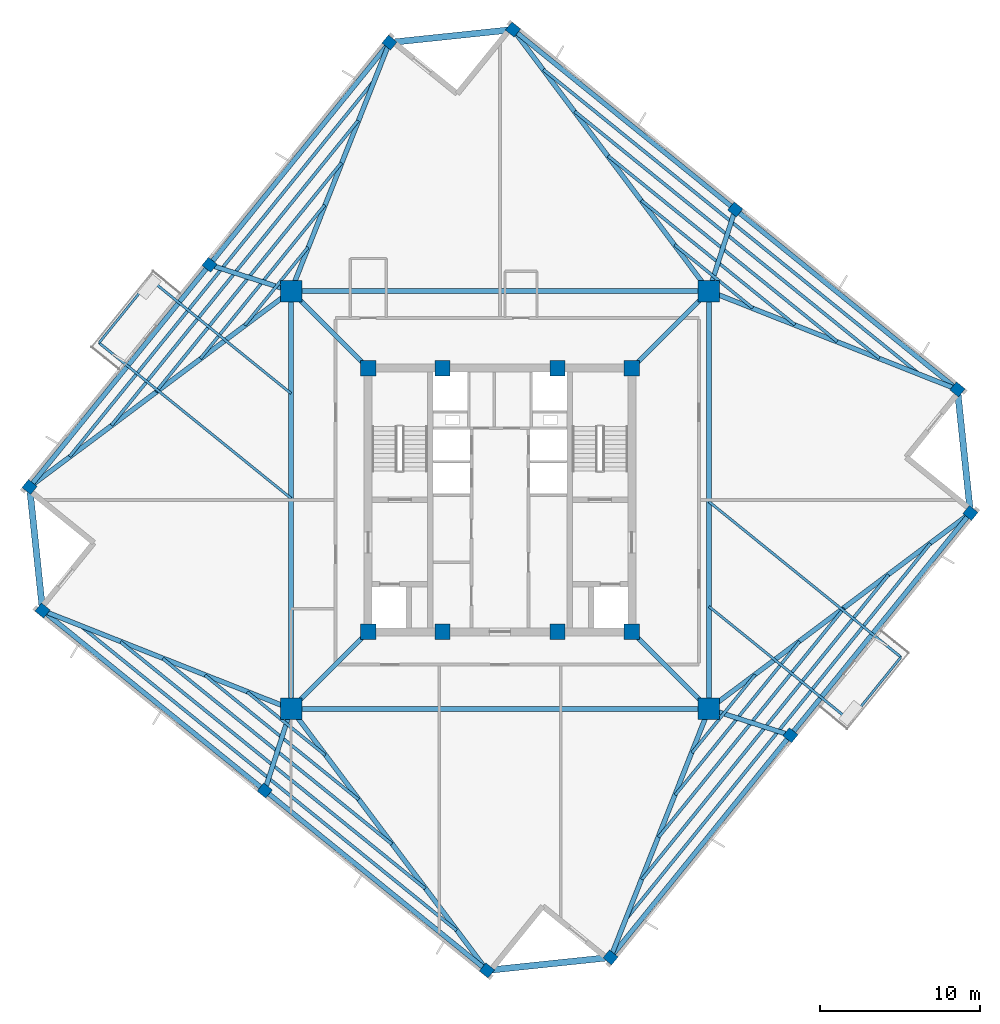
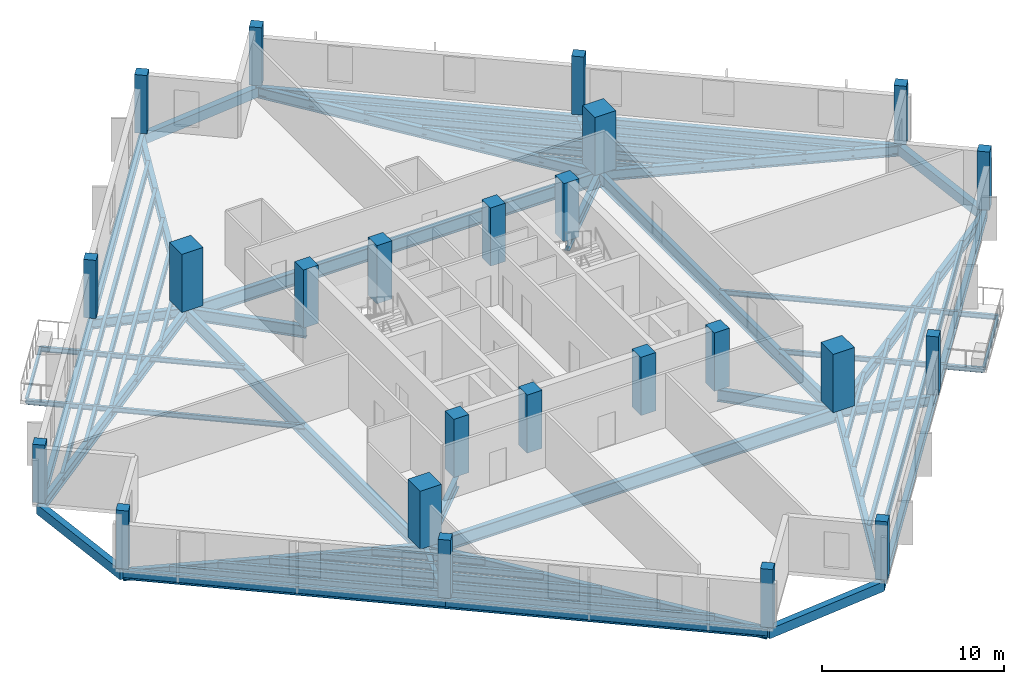
# One storey, part 1 of 9: 58 beams, 24 columns.
"""IFC4 building model written with IfcOpenShell, lengths in metres."""

from ifc_helpers import new_model, si_unit, direction, frame, origin, origin_2d, place, context, subcontext, project, spatial, rectangle, i_section, extrude, source, transform, mapped, material, material_profile, profile_set, type_object, element, save


model = new_model("IFC4")

# Units and contexts
model_context = context("Model", 3, precision=1e-05, world=origin(), true_north=direction((0.0, 1.0)))
body_context = subcontext(model_context, "Body", "Model", "MODEL_VIEW")
ifc_project = project(units=[si_unit("LENGTHUNIT", "METRE"), si_unit("AREAUNIT", "SQUARE_METRE"), si_unit("VOLUMEUNIT", "CUBIC_METRE"), si_unit("PLANEANGLEUNIT", "RADIAN"), si_unit("MASSUNIT", "GRAM", prefix="KILO"), si_unit("THERMODYNAMICTEMPERATUREUNIT", "KELVIN")], contexts=[model_context])

# Site, building, storey
site_placement = place(None, origin())
site = spatial("IfcSite", under=ifc_project, at=site_placement, CompositionType="ELEMENT")
building_placement = place(site_placement, origin())
building = spatial("IfcBuilding", under=site, at=building_placement, Name="Kosmvard Interchange Tower", CompositionType="ELEMENT")
storey_placement = place(building_placement, frame((0.0, 0.0, 244.60009765625)))
storey = spatial("IfcBuildingStorey", under=building, at=storey_placement, Name="L59", CompositionType="ELEMENT", Elevation=244.60009765625)

# Columns
ifc_material_1 = material(Name="Concrete C60/75", Category="concrete")
ifc_material_profile_1 = material_profile(ifc_material_1, rectangle(XDim=0.949951171875, YDim=0.949951171875, at=origin_2d()), Name="CP 950x950")
ifc_profile_set_1 = profile_set([ifc_material_profile_1], Name="Concrete C60/75")
column_type_1 = type_object("IfcColumnType", Name="Core Boundary Pilaster 950x950 C60/75", PredefinedType="PILASTER", material=ifc_profile_set_1)
shared_shape_1 = source(origin(), body_context, "Body", "SweptSolid", [
    extrude(rectangle(XDim=0.949951171875, YDim=0.949951171875, at=origin_2d()), origin(), (0.0, 0.0, 1.0), 3.89990234375),
])
for number, where, z_axis, x_axis, name in (
    (1, (-8.25, -8.25, 0.0), (0.0, 0.0, 1.0), (1.0, 0.0, 0.0), "L59 Core Pilaster CP1"),
    (2, (8.25, -8.25, 0.0), (0.0, 0.0, 1.0), (1.0, 0.0, 0.0), "L59 Core Pilaster CP2"),
    (3, (8.25, 8.25, 0.0), (0.0, 0.0, 1.0), (1.0, 0.0, 0.0), "L59 Core Pilaster CP3"),
    (4, (-8.25, 8.25, 0.0), (0.0, 0.0, 1.0), (1.0, 0.0, 0.0), "L59 Core Pilaster CP4"),
    (5, (-3.60009765625, -8.25, 0.0), (0.0, 0.0, 1.0), (1.0, 0.0, 0.0), "L59 Core Pilaster CP5"),
    (6, (3.60009765625, -8.25, 0.0), (0.0, 0.0, 1.0), (1.0, 0.0, 0.0), "L59 Core Pilaster CP6"),
    (7, (-3.60009765625, 8.25, 0.0), (0.0, 0.0, 1.0), (1.0, 0.0, 0.0), "L59 Core Pilaster CP7"),
    (8, (3.60009765625, 8.25, 0.0), (0.0, 0.0, 1.0), (1.0, 0.0, 0.0), "L59 Core Pilaster CP8"),
):
    element("IfcColumn", number, at=place(storey_placement, frame(where, z_axis=z_axis, x_axis=x_axis)), inside=storey, type_object=column_type_1, Name=name, PredefinedType="PILASTER", context=body_context, shape_type="MappedRepresentation", body=[
        mapped(shared_shape_1, transform((0.0, 0.0, 0.0), scale=1.0)),
    ])
ifc_material_profile_2 = material_profile(ifc_material_1, rectangle(XDim=1.35009765625, YDim=1.35009765625, at=origin_2d()), Name="MC 1350x1350")
ifc_profile_set_2 = profile_set([ifc_material_profile_2], Name="Concrete C60/75")
column_type_2 = type_object("IfcColumnType", Name="Composite Mega-Column 1350x1350 C60/75", PredefinedType="COLUMN", material=ifc_profile_set_2)
shared_shape_2 = source(origin(), body_context, "Body", "SweptSolid", [
    extrude(rectangle(XDim=1.35009765625, YDim=1.35009765625, at=origin_2d()), origin(), (0.0, 0.0, 1.0), 3.89990234375),
])
for number, where, z_axis, x_axis, name in (
    (9, (-13.0810546875, -13.0810546875, 0.0), (0.0, 0.0, 1.0), (1.0, 0.0, 0.0), "L59 Corner Mega-Column MC1"),
    (10, (13.0810546875, -13.0810546875, 0.0), (0.0, 0.0, 1.0), (1.0, 0.0, 0.0), "L59 Corner Mega-Column MC2"),
    (11, (13.0810546875, 13.0810546875, 0.0), (0.0, 0.0, 1.0), (1.0, 0.0, 0.0), "L59 Corner Mega-Column MC3"),
    (12, (-13.0810546875, 13.0810546875, 0.0), (0.0, 0.0, 1.0), (1.0, 0.0, 0.0), "L59 Corner Mega-Column MC4"),
):
    element("IfcColumn", number, at=place(storey_placement, frame(where, z_axis=z_axis, x_axis=x_axis)), inside=storey, type_object=column_type_2, Name=name, PredefinedType="COLUMN", context=body_context, shape_type="MappedRepresentation", body=[
        mapped(shared_shape_2, transform((0.0, 0.0, 0.0), scale=1.0)),
    ])
ifc_material_2 = material(Name="Concrete C50/60", Category="concrete")
ifc_material_profile_3 = material_profile(ifc_material_2, rectangle(XDim=0.64990234375, YDim=0.699951171875, at=origin_2d()), Name="TC 700x650")
ifc_profile_set_3 = profile_set([ifc_material_profile_3], Name="Concrete C50/60")
column_type_3 = type_object("IfcColumnType", Name="Zone 4 Perimeter Pier Column 700x650 C50/60", PredefinedType="COLUMN", material=ifc_profile_set_3)
shared_shape_3 = source(origin(), body_context, "Body", "SweptSolid", [
    extrude(rectangle(XDim=0.64990234375, YDim=0.699951171875, at=origin_2d()), origin(), (0.0, 0.0, 1.0), 3.89990234375),
])
for number, where, z_axis, x_axis, name in (
    (13, (6.92041015625, -28.636962890625, 0.0), (0.0, 0.0, 1.0), (0.62932039105, 0.777145961457, 0.0), "L59 Perimeter Pier Column TC-S1"),
    (14, (18.185302734375, -14.72607421875, 0.0), (0.0, 0.0, 1.0), (0.62932039105, 0.777145961457, 0.0), "L59 Perimeter Pier Column TC-S2"),
    (15, (29.449951171875, -0.815185546875, 0.0), (0.0, 0.0, 1.0), (0.62932039105, 0.777145961457, 0.0), "L59 Perimeter Pier Column TC-S3"),
    (16, (28.636962890625, 6.92041015625, 0.0), (0.0, 0.0, 1.0), (0.62932039105, 0.777145961457, 0.0), "L59 Perimeter Pier Column TC-E1"),
    (17, (14.72607421875, 18.185302734375, 0.0), (0.0, 0.0, 1.0), (0.62932039105, 0.777145961457, 0.0), "L59 Perimeter Pier Column TC-E2"),
    (18, (0.815185546875, 29.449951171875, 0.0), (0.0, 0.0, 1.0), (0.62932039105, 0.777145961457, 0.0), "L59 Perimeter Pier Column TC-E3"),
    (19, (-6.92041015625, 28.636962890625, 0.0), (0.0, 0.0, 1.0), (0.62932039105, 0.777145961457, 0.0), "L59 Perimeter Pier Column TC-N1"),
    (20, (-18.185302734375, 14.72607421875, 0.0), (0.0, 0.0, 1.0), (0.62932039105, 0.777145961457, 0.0), "L59 Perimeter Pier Column TC-N2"),
    (21, (-29.449951171875, 0.815185546875, 0.0), (0.0, 0.0, 1.0), (0.62932039105, 0.777145961457, 0.0), "L59 Perimeter Pier Column TC-N3"),
    (22, (-28.636962890625, -6.92041015625, 0.0), (0.0, 0.0, 1.0), (0.62932039105, 0.777145961457, 0.0), "L59 Perimeter Pier Column TC-W1"),
    (23, (-14.72607421875, -18.185302734375, 0.0), (0.0, 0.0, 1.0), (0.62932039105, 0.777145961457, 0.0), "L59 Perimeter Pier Column TC-W2"),
    (24, (-0.815185546875, -29.449951171875, 0.0), (0.0, 0.0, 1.0), (0.62932039105, 0.777145961457, 0.0), "L59 Perimeter Pier Column TC-W3"),
):
    element("IfcColumn", number, at=place(storey_placement, frame(where, z_axis=z_axis, x_axis=x_axis)), inside=storey, type_object=column_type_3, Name=name, PredefinedType="COLUMN", context=body_context, shape_type="MappedRepresentation", body=[
        mapped(shared_shape_3, transform((0.0, 0.0, 0.0), scale=1.0)),
    ])

# Beams
ifc_material_3 = material(Name="Steel S355", Category="steel")
ifc_material_profile_4 = material_profile(ifc_material_3, i_section(OverallWidth=0.14990234375, OverallDepth=0.300048828125, WebThickness=0.007080078125, FlangeThickness=0.0107421875, FilletRadius=0.014892578125, at=origin_2d()), Name="IPE 300")
ifc_profile_set_4 = profile_set([ifc_material_profile_4], Name="Steel S355")
beam_type_1 = type_object("IfcBeamType", Name="Balcony Edge Header Joist IPE 300 S355", PredefinedType="JOIST", material=ifc_profile_set_4)
shared_shape_4 = source(origin(), body_context, "Body", "SweptSolid", [
    extrude(i_section(OverallWidth=0.14990234375, OverallDepth=0.300048828125, WebThickness=0.007080078125, FlangeThickness=0.0107421875, FilletRadius=0.014892578125, at=origin_2d()), origin(), (0.0, 0.0, 1.0), 5.099853515625),
])
for number, where, z_axis, x_axis, name in (
    (25, (-21.89208984375, 13.80322265625, -0.39013671875), (-0.629319408179, -0.777146757369, 0.0), (0.777146757369, -0.629319408179, 0.0), "BM-L59-BJH1"),
    (26, (21.89208984375, -13.80322265625, -0.39013671875), (0.629319408179, 0.777146757369, 0.0), (-0.777146757369, 0.629319408179, 0.0), "BM-L59-BJH2"),
):
    element("IfcBeam", number, at=place(storey_placement, frame(where, z_axis=z_axis, x_axis=x_axis)), inside=storey, type_object=beam_type_1, Name=name, PredefinedType="JOIST", context=body_context, shape_type="MappedRepresentation", body=[
        mapped(shared_shape_4, transform((0.0, 0.0, 0.0), scale=1.0)),
    ])
ifc_material_profile_5 = material_profile(ifc_material_3, i_section(OverallWidth=0.300048828125, OverallDepth=0.800048828125, WebThickness=0.017578125, FlangeThickness=0.032958984375, FilletRadius=0.027099609375, at=origin_2d()), Name="HEB 800")
ifc_profile_set_5 = profile_set([ifc_material_profile_5], Name="Steel S355")
beam_type_2 = type_object("IfcBeamType", Name="Primary Mega-Frame Girder HEB 800 S355", PredefinedType="BEAM", material=ifc_profile_set_5)
shared_shape_5 = source(origin(), body_context, "Body", "SweptSolid", [
    extrude(i_section(OverallWidth=0.300048828125, OverallDepth=0.800048828125, WebThickness=0.017578125, FlangeThickness=0.032958984375, FilletRadius=0.027099609375, at=origin_2d()), origin(), (0.0, 0.0, 1.0), 6.83203125),
])
for number, where, z_axis, x_axis, name in (
    (27, (-8.25, -8.25, -0.64013671875), (-0.707106781187, -0.707106781187, 0.0), (0.707106781187, -0.707106781187, 0.0), "L59 Radial Mega-Frame Girder 1"),
    (28, (8.25, -8.25, -0.64013671875), (0.707106781187, -0.707106781187, 0.0), (0.707106781187, 0.707106781187, 0.0), "L59 Radial Mega-Frame Girder 2"),
    (29, (8.25, 8.25, -0.64013671875), (0.707106781187, 0.707106781187, 0.0), (-0.707106781187, 0.707106781187, 0.0), "L59 Radial Mega-Frame Girder 3"),
    (30, (-8.25, 8.25, -0.64013671875), (-0.707106781187, 0.707106781187, 0.0), (-0.707106781187, -0.707106781187, 0.0), "L59 Radial Mega-Frame Girder 4"),
):
    element("IfcBeam", number, at=place(storey_placement, frame(where, z_axis=z_axis, x_axis=x_axis)), inside=storey, type_object=beam_type_2, Name=name, PredefinedType="BEAM", context=body_context, shape_type="MappedRepresentation", body=[
        mapped(shared_shape_5, transform((0.0, 0.0, 0.0), scale=1.0)),
    ])
ifc_material_profile_6 = material_profile(ifc_material_3, i_section(OverallWidth=0.300048828125, OverallDepth=0.89990234375, WebThickness=0.0185546875, FlangeThickness=0.034912109375, FilletRadius=0.030029296875, at=origin_2d()), Name="HEB 900")
ifc_profile_set_6 = profile_set([ifc_material_profile_6], Name="Steel S355")
beam_type_3 = type_object("IfcBeamType", Name="Mega-Column Ring Girder HEB 900 S355", PredefinedType="BEAM", material=ifc_profile_set_6)
shared_shape_6 = source(origin(), body_context, "Body", "SweptSolid", [
    extrude(i_section(OverallWidth=0.300048828125, OverallDepth=0.89990234375, WebThickness=0.0185546875, FlangeThickness=0.034912109375, FilletRadius=0.030029296875, at=origin_2d()), origin(), (0.0, 0.0, 1.0), 26.162109375),
])
for number, where, z_axis, x_axis, name in (
    (31, (-13.0810546875, -13.0810546875, -0.690185546875), (1.0, 0.0, 0.0), (0.0, 1.0, 0.0), "L59 Mega-Column Ring Girder 1"),
    (32, (13.0810546875, -13.0810546875, -0.690185546875), (0.0, 1.0, 0.0), (-1.0, 0.0, 0.0), "L59 Mega-Column Ring Girder 2"),
    (33, (13.0810546875, 13.0810546875, -0.690185546875), (-1.0, 0.0, 0.0), (0.0, -1.0, 0.0), "L59 Mega-Column Ring Girder 3"),
    (34, (-13.0810546875, 13.0810546875, -0.690185546875), (0.0, -1.0, 0.0), (1.0, 0.0, 0.0), "L59 Mega-Column Ring Girder 4"),
):
    element("IfcBeam", number, at=place(storey_placement, frame(where, z_axis=z_axis, x_axis=x_axis)), inside=storey, type_object=beam_type_3, Name=name, PredefinedType="BEAM", context=body_context, shape_type="MappedRepresentation", body=[
        mapped(shared_shape_6, transform((0.0, 0.0, 0.0), scale=1.0)),
    ])
ifc_material_profile_7 = material_profile(ifc_material_3, i_section(OverallWidth=0.300048828125, OverallDepth=0.60009765625, WebThickness=0.015380859375, FlangeThickness=0.030029296875, FilletRadius=0.027099609375, at=origin_2d()), Name="HEB 600")
ifc_profile_set_7 = profile_set([ifc_material_profile_7], Name="Steel S355")
beam_type_4 = type_object("IfcBeamType", Name="Perimeter Tie Girder HEB 600 S355", PredefinedType="BEAM", material=ifc_profile_set_7)
shared_shape_7 = source(origin(), body_context, "Body", "SweptSolid", [
    extrude(i_section(OverallWidth=0.300048828125, OverallDepth=0.60009765625, WebThickness=0.015380859375, FlangeThickness=0.030029296875, FilletRadius=0.027099609375, at=origin_2d()), origin(), (0.0, 0.0, 1.0), 17.89990234375),
])
for number, where, z_axis, x_axis, name in (
    (35, (6.92041015625, -28.636962890625, -0.5400390625), (0.629322990554, 0.777143856413, 0.0), (-0.777143856413, 0.629322990554, 0.0), "BM-L59-PR01"),
    (36, (18.185302734375, -14.72607421875, -0.5400390625), (0.629314753061, 0.777150526976, 0.0), (-0.777150526976, 0.629314753061, 0.0), "BM-L59-PR02"),
    (37, (28.636962890625, 6.92041015625, -0.5400390625), (-0.777143856413, 0.629322990554, 0.0), (-0.629322990554, -0.777143856413, 0.0), "BM-L59-PR04"),
    (38, (14.72607421875, 18.185302734375, -0.5400390625), (-0.777150526976, 0.629314753061, 0.0), (-0.629314753061, -0.777150526976, 0.0), "BM-L59-PR05"),
    (39, (-6.92041015625, 28.636962890625, -0.5400390625), (-0.629322990554, -0.777143856413, 0.0), (0.777143856413, -0.629322990554, 0.0), "BM-L59-PR07"),
    (40, (-18.185302734375, 14.72607421875, -0.5400390625), (-0.629314753061, -0.777150526976, 0.0), (0.777150526976, -0.629314753061, 0.0), "BM-L59-PR08"),
    (41, (-28.636962890625, -6.92041015625, -0.5400390625), (0.777143856413, -0.629322990554, 0.0), (0.629322990554, 0.777143856413, 0.0), "BM-L59-PR10"),
    (42, (-14.72607421875, -18.185302734375, -0.5400390625), (0.777150526976, -0.629314753061, 0.0), (0.629314753061, 0.777150526976, 0.0), "BM-L59-PR11"),
):
    element("IfcBeam", number, at=place(storey_placement, frame(where, z_axis=z_axis, x_axis=x_axis)), inside=storey, type_object=beam_type_4, Name=name, PredefinedType="BEAM", context=body_context, shape_type="MappedRepresentation", body=[
        mapped(shared_shape_7, transform((0.0, 0.0, 0.0), scale=1.0)),
    ])
ifc_material_profile_8 = material_profile(ifc_material_3, i_section(OverallWidth=0.300048828125, OverallDepth=0.699951171875, WebThickness=0.01708984375, FlangeThickness=0.031982421875, FilletRadius=0.027099609375, at=origin_2d()), Name="HEB 700")
ifc_profile_set_8 = profile_set([ifc_material_profile_8], Name="Steel S355")
beam_type_5 = type_object("IfcBeamType", Name="Primary Floor Girder HEB 700 S355", PredefinedType="BEAM", material=ifc_profile_set_8)
shared_shape_8 = source(origin(), body_context, "Body", "SweptSolid", [
    extrude(i_section(OverallWidth=0.300048828125, OverallDepth=0.699951171875, WebThickness=0.01708984375, FlangeThickness=0.031982421875, FilletRadius=0.027099609375, at=origin_2d()), origin(), (0.0, 0.0, 1.0), 16.7314453125),
])
for number, where, z_axis, x_axis, name in (
    (43, (13.0810546875, -13.0810546875, -0.590087890625), (-0.368208500474, -0.929743244223, 0.0), (0.929743244223, -0.368208500474, 0.0), "BM-L59-RD01"),
    (44, (13.0810546875, 13.0810546875, -0.590087890625), (0.929743244223, -0.368208500474, 0.0), (0.368208500474, 0.929743244223, 0.0), "BM-L59-RD04"),
    (45, (-13.0810546875, 13.0810546875, -0.590087890625), (0.368208500474, 0.929743244223, 0.0), (-0.929743244223, 0.368208500474, 0.0), "BM-L59-RD07"),
    (46, (-13.0810546875, -13.0810546875, -0.590087890625), (-0.929743244223, 0.368208500474, 0.0), (-0.368208500474, -0.929743244223, 0.0), "BM-L59-RD10"),
):
    element("IfcBeam", number, at=place(storey_placement, frame(where, z_axis=z_axis, x_axis=x_axis)), inside=storey, type_object=beam_type_5, Name=name, PredefinedType="BEAM", context=body_context, shape_type="MappedRepresentation", body=[
        mapped(shared_shape_8, transform((0.0, 0.0, 0.0), scale=1.0)),
    ])
ifc_material_profile_9 = material_profile(ifc_material_3, i_section(OverallWidth=0.300048828125, OverallDepth=0.64990234375, WebThickness=0.01611328125, FlangeThickness=0.031005859375, FilletRadius=0.027099609375, at=origin_2d()), Name="HEB 650")
ifc_profile_set_9 = profile_set([ifc_material_profile_9], Name="Steel S355")
beam_type_6 = type_object("IfcBeamType", Name="Primary Floor Girder HEB 650 S355", PredefinedType="BEAM", material=ifc_profile_set_9)
shared_shape_9 = source(origin(), body_context, "Body", "SweptSolid", [
    extrude(i_section(OverallWidth=0.300048828125, OverallDepth=0.64990234375, WebThickness=0.01611328125, FlangeThickness=0.031005859375, FilletRadius=0.027099609375, at=origin_2d()), origin(), (0.0, 0.0, 1.0), 5.36279296875),
])
for number, where, z_axis, x_axis, name in (
    (47, (13.0810546875, -13.0810546875, -0.565185546875), (0.951790966135, -0.306747382686, 0.0), (0.306747382686, 0.951790966135, 0.0), "BM-L59-RD02"),
    (48, (13.0810546875, 13.0810546875, -0.565185546875), (0.306747382686, 0.951790966135, 0.0), (-0.951790966135, 0.306747382686, 0.0), "BM-L59-RD05"),
    (49, (-13.0810546875, 13.0810546875, -0.565185546875), (-0.951790966135, 0.306747382686, 0.0), (-0.306747382686, -0.951790966135, 0.0), "BM-L59-RD08"),
    (50, (-13.0810546875, -13.0810546875, -0.565185546875), (-0.306747382686, -0.951790966135, 0.0), (0.951790966135, -0.306747382686, 0.0), "BM-L59-RD11"),
):
    element("IfcBeam", number, at=place(storey_placement, frame(where, z_axis=z_axis, x_axis=x_axis)), inside=storey, type_object=beam_type_6, Name=name, PredefinedType="BEAM", context=body_context, shape_type="MappedRepresentation", body=[
        mapped(shared_shape_9, transform((0.0, 0.0, 0.0), scale=1.0)),
    ])
ifc_material_4 = material(Name="Precast concrete C45/55", Category="concrete")
ifc_material_profile_10 = material_profile(ifc_material_4, rectangle(XDim=0.39990234375, YDim=0.64990234375, at=origin_2d()), Name="SL 400x650")
ifc_profile_set_10 = profile_set([ifc_material_profile_10], Name="Precast concrete C45/55")
beam_type_7 = type_object("IfcBeamType", Name="Precast Spandrel Lintel 400x650 C45/55", PredefinedType="LINTEL", material=ifc_profile_set_10)
shared_shape_10 = source(origin(), body_context, "Body", "SweptSolid", [
    extrude(rectangle(XDim=0.39990234375, YDim=0.64990234375, at=origin_2d()), origin(), (0.0, 0.0, 1.0), 7.7783203125),
])
for number, where, z_axis, x_axis, name in (
    (51, (29.449951171875, -0.815185546875, -0.565185546875), (-0.104521394525, 0.994522638298, 0.0), (-0.994522638298, -0.104521394525, 0.0), "BM-L59-SL1"),
    (52, (0.815185546875, 29.449951171875, -0.565185546875), (-0.994522638298, -0.104521394525, 0.0), (0.104521394525, -0.994522638298, 0.0), "BM-L59-SL2"),
    (53, (-29.449951171875, 0.815185546875, -0.565185546875), (0.104521394525, -0.994522638298, 0.0), (0.994522638298, 0.104521394525, 0.0), "BM-L59-SL3"),
    (54, (-0.815185546875, -29.449951171875, -0.565185546875), (0.994522638298, 0.104521394525, 0.0), (-0.104521394525, 0.994522638298, 0.0), "BM-L59-SL4"),
):
    element("IfcBeam", number, at=place(storey_placement, frame(where, z_axis=z_axis, x_axis=x_axis)), inside=storey, type_object=beam_type_7, Name=name, PredefinedType="LINTEL", context=body_context, shape_type="MappedRepresentation", body=[
        mapped(shared_shape_10, transform((0.0, 0.0, 0.0), scale=1.0)),
    ])
shared_shape_11 = source(origin(), body_context, "Body", "SweptSolid", [
    extrude(i_section(OverallWidth=0.300048828125, OverallDepth=0.699951171875, WebThickness=0.01708984375, FlangeThickness=0.031982421875, FilletRadius=0.027099609375, at=origin_2d()), origin(), (0.0, 0.0, 1.0), 20.45458984375),
])
for number, where, z_axis, x_axis, name in (
    (55, (13.0810546875, -13.0810546875, -0.590087890625), (0.800253443036, 0.599661927179, 0.0), (-0.599661927179, 0.800253443036, 0.0), "BM-L59-RD03"),
    (56, (13.0810546875, 13.0810546875, -0.590087890625), (-0.599661927179, 0.800253443036, 0.0), (-0.800253443036, -0.599661927179, 0.0), "BM-L59-RD06"),
    (57, (-13.0810546875, 13.0810546875, -0.590087890625), (-0.800253443036, -0.599661927179, 0.0), (0.599661927179, -0.800253443036, 0.0), "BM-L59-RD09"),
    (58, (-13.0810546875, -13.0810546875, -0.590087890625), (0.599661927179, -0.800253443036, 0.0), (0.800253443036, 0.599661927179, 0.0), "BM-L59-RD12"),
):
    element("IfcBeam", number, at=place(storey_placement, frame(where, z_axis=z_axis, x_axis=x_axis)), inside=storey, type_object=beam_type_5, Name=name, PredefinedType="BEAM", context=body_context, shape_type="MappedRepresentation", body=[
        mapped(shared_shape_11, transform((0.0, 0.0, 0.0), scale=1.0)),
    ])
ifc_material_profile_11 = material_profile(ifc_material_3, i_section(OverallWidth=0.18994140625, OverallDepth=0.449951171875, WebThickness=0.009521484375, FlangeThickness=0.0146484375, FilletRadius=0.02099609375, at=origin_2d()), Name="IPE 450")
ifc_profile_set_11 = profile_set([ifc_material_profile_11], Name="Steel S355")
beam_type_8 = type_object("IfcBeamType", Name="Mid-Rise Floor Joist IPE 450 S355", PredefinedType="JOIST", material=ifc_profile_set_11)
shared_shape_12 = source(origin(), body_context, "Body", "SweptSolid", [
    extrude(i_section(OverallWidth=0.18994140625, OverallDepth=0.449951171875, WebThickness=0.009521484375, FlangeThickness=0.0146484375, FilletRadius=0.02099609375, at=origin_2d()), origin(), (0.0, 0.0, 1.0), 6.283935546875),
])
for number, where, z_axis, x_axis, name in (
    (59, (12.0224609375, -15.81884765625, -0.465087890625), (0.629317809561, 0.777148051898, 0.0), (-0.777148051898, 0.629317809561, 0.0), "BM-L59-FJ01"),
    (60, (15.81884765625, 12.0224609375, -0.465087890625), (-0.777148051898, 0.629317809561, 0.0), (-0.629317809561, -0.777148051898, 0.0), "BM-L59-FJ06"),
    (61, (-12.0224609375, 15.81884765625, -0.465087890625), (-0.629317809561, -0.777148051898, 0.0), (0.777148051898, -0.629317809561, 0.0), "BM-L59-FJ11"),
    (62, (-15.81884765625, -12.0224609375, -0.465087890625), (0.777148051898, -0.629317809561, 0.0), (0.629317809561, 0.777148051898, 0.0), "BM-L59-FJ16"),
):
    element("IfcBeam", number, at=place(storey_placement, frame(where, z_axis=z_axis, x_axis=x_axis)), inside=storey, type_object=beam_type_8, Name=name, PredefinedType="JOIST", context=body_context, shape_type="MappedRepresentation", body=[
        mapped(shared_shape_12, transform((0.0, 0.0, 0.0), scale=1.0)),
    ])
shared_shape_13 = source(origin(), body_context, "Body", "SweptSolid", [
    extrude(i_section(OverallWidth=0.18994140625, OverallDepth=0.449951171875, WebThickness=0.009521484375, FlangeThickness=0.0146484375, FilletRadius=0.02099609375, at=origin_2d()), origin(), (0.0, 0.0, 1.0), 12.369873046875),
])
for number, where, z_axis, x_axis, name in (
    (63, (10.97509765625, -18.46337890625, -0.465087890625), (0.629319722443, 0.777146502883, 0.0), (-0.777146502883, 0.629319722443, 0.0), "BM-L59-FJ02"),
    (64, (18.46337890625, 10.97509765625, -0.465087890625), (-0.777146502883, 0.629319722443, 0.0), (-0.629319722443, -0.777146502883, 0.0), "BM-L59-FJ07"),
    (65, (-10.97509765625, 18.46337890625, -0.465087890625), (-0.629319722443, -0.777146502883, 0.0), (0.777146502883, -0.629319722443, 0.0), "BM-L59-FJ12"),
    (66, (-18.46337890625, -10.97509765625, -0.465087890625), (0.777146502883, -0.629319722443, 0.0), (0.629319722443, 0.777146502883, 0.0), "BM-L59-FJ17"),
):
    element("IfcBeam", number, at=place(storey_placement, frame(where, z_axis=z_axis, x_axis=x_axis)), inside=storey, type_object=beam_type_8, Name=name, PredefinedType="JOIST", context=body_context, shape_type="MappedRepresentation", body=[
        mapped(shared_shape_13, transform((0.0, 0.0, 0.0), scale=1.0)),
    ])
ifc_material_profile_12 = material_profile(ifc_material_3, i_section(OverallWidth=0.199951171875, OverallDepth=0.5, WebThickness=0.01025390625, FlangeThickness=0.01611328125, FilletRadius=0.02099609375, at=origin_2d()), Name="IPE 500")
ifc_profile_set_12 = profile_set([ifc_material_profile_12], Name="Steel S355")
beam_type_9 = type_object("IfcBeamType", Name="Standard Floor Joist IPE 500 S355", PredefinedType="JOIST", material=ifc_profile_set_12)
shared_shape_14 = source(origin(), body_context, "Body", "SweptSolid", [
    extrude(i_section(OverallWidth=0.199951171875, OverallDepth=0.5, WebThickness=0.01025390625, FlangeThickness=0.01611328125, FilletRadius=0.02099609375, at=origin_2d()), origin(), (0.0, 0.0, 1.0), 18.4560546875),
])
for number, where, z_axis, x_axis, name in (
    (67, (9.927734375, -21.10791015625, -0.489990234375), (0.629320373744, 0.777145975471, 0.0), (-0.777145975471, 0.629320373744, 0.0), "BM-L59-FJ03"),
    (68, (21.10791015625, 9.927734375, -0.489990234375), (-0.777145975471, 0.629320373744, 0.0), (-0.629320373744, -0.777145975471, 0.0), "BM-L59-FJ08"),
    (69, (-9.927734375, 21.10791015625, -0.489990234375), (-0.629320373744, -0.777145975471, 0.0), (0.777145975471, -0.629320373744, 0.0), "BM-L59-FJ13"),
    (70, (-21.10791015625, -9.927734375, -0.489990234375), (0.777145975471, -0.629320373744, 0.0), (0.629320373744, 0.777145975471, 0.0), "BM-L59-FJ18"),
):
    element("IfcBeam", number, at=place(storey_placement, frame(where, z_axis=z_axis, x_axis=x_axis)), inside=storey, type_object=beam_type_9, Name=name, PredefinedType="JOIST", context=body_context, shape_type="MappedRepresentation", body=[
        mapped(shared_shape_14, transform((0.0, 0.0, 0.0), scale=1.0)),
    ])
shared_shape_15 = source(origin(), body_context, "Body", "SweptSolid", [
    extrude(i_section(OverallWidth=0.199951171875, OverallDepth=0.5, WebThickness=0.01025390625, FlangeThickness=0.01611328125, FilletRadius=0.02099609375, at=origin_2d()), origin(), (0.0, 0.0, 1.0), 24.5419921875),
])
for number, where, z_axis, x_axis, name in (
    (71, (8.880615234375, -23.75244140625, -0.489990234375), (0.629314693907, 0.777150574878, 0.0), (-0.777150574878, 0.629314693907, 0.0), "BM-L59-FJ04"),
    (72, (23.75244140625, 8.880615234375, -0.489990234375), (-0.777150574878, 0.629314693907, 0.0), (-0.629314693907, -0.777150574878, 0.0), "BM-L59-FJ09"),
    (73, (-8.880615234375, 23.75244140625, -0.489990234375), (-0.629314693907, -0.777150574878, 0.0), (0.777150574878, -0.629314693907, 0.0), "BM-L59-FJ14"),
    (74, (-23.75244140625, -8.880615234375, -0.489990234375), (0.777150574878, -0.629314693907, 0.0), (0.629314693907, 0.777150574878, 0.0), "BM-L59-FJ19"),
):
    element("IfcBeam", number, at=place(storey_placement, frame(where, z_axis=z_axis, x_axis=x_axis)), inside=storey, type_object=beam_type_9, Name=name, PredefinedType="JOIST", context=body_context, shape_type="MappedRepresentation", body=[
        mapped(shared_shape_15, transform((0.0, 0.0, 0.0), scale=1.0)),
    ])
shared_shape_16 = source(origin(), body_context, "Body", "SweptSolid", [
    extrude(i_section(OverallWidth=0.199951171875, OverallDepth=0.5, WebThickness=0.01025390625, FlangeThickness=0.01611328125, FilletRadius=0.02099609375, at=origin_2d()), origin(), (0.0, 0.0, 1.0), 30.27001953125),
])
for number, where, z_axis, x_axis, name in (
    (75, (7.894775390625, -26.241455078125, -0.489990234375), (0.629321655027, 0.777144937907, 0.0), (-0.777144937907, 0.629321655027, 0.0), "BM-L59-FJ05"),
    (76, (26.241455078125, 7.894775390625, -0.489990234375), (-0.777144937907, 0.629321655027, 0.0), (-0.629321655027, -0.777144937907, 0.0), "BM-L59-FJ10"),
    (77, (-7.894775390625, 26.241455078125, -0.489990234375), (-0.629321655027, -0.777144937907, 0.0), (0.777144937907, -0.629321655027, 0.0), "BM-L59-FJ15"),
    (78, (-26.241455078125, -7.894775390625, -0.489990234375), (0.777144937907, -0.629321655027, 0.0), (0.629321655027, 0.777144937907, 0.0), "BM-L59-FJ20"),
):
    element("IfcBeam", number, at=place(storey_placement, frame(where, z_axis=z_axis, x_axis=x_axis)), inside=storey, type_object=beam_type_9, Name=name, PredefinedType="JOIST", context=body_context, shape_type="MappedRepresentation", body=[
        mapped(shared_shape_16, transform((0.0, 0.0, 0.0), scale=1.0)),
    ])
ifc_material_profile_13 = material_profile(ifc_material_3, i_section(OverallWidth=0.159912109375, OverallDepth=0.330078125, WebThickness=0.007568359375, FlangeThickness=0.011474609375, FilletRadius=0.01806640625, at=origin_2d()), Name="IPE 330")
ifc_profile_set_13 = profile_set([ifc_material_profile_13], Name="Steel S355")
beam_type_10 = type_object("IfcBeamType", Name="Balcony Cantilever Joist IPE 330 S355", PredefinedType="JOIST", material=ifc_profile_set_13)
shared_shape_17 = source(origin(), body_context, "Body", "SweptSolid", [
    extrude(i_section(OverallWidth=0.159912109375, OverallDepth=0.330078125, WebThickness=0.007568359375, FlangeThickness=0.011474609375, FilletRadius=0.01806640625, at=origin_2d()), origin(), (0.0, 0.0, 1.0), 11.337646484375),
])
for number, where, z_axis, x_axis, name in (
    (79, (-13.0810546875, 6.668212890625, -0.405029296875), (-0.777147075247, 0.629319015631, 0.0), (-0.629319015631, -0.777147075247, 0.0), "BM-L59-BJ1"),
    (80, (13.0810546875, -6.668212890625, -0.405029296875), (0.777147075247, -0.629319015631, 0.0), (0.629319015631, 0.777147075247, 0.0), "BM-L59-BJ2"),
):
    element("IfcBeam", number, at=place(storey_placement, frame(where, z_axis=z_axis, x_axis=x_axis)), inside=storey, type_object=beam_type_10, Name=name, PredefinedType="JOIST", context=body_context, shape_type="MappedRepresentation", body=[
        mapped(shared_shape_17, transform((0.0, 0.0, 0.0), scale=1.0)),
    ])
shared_shape_18 = source(origin(), body_context, "Body", "SweptSolid", [
    extrude(i_section(OverallWidth=0.159912109375, OverallDepth=0.330078125, WebThickness=0.007568359375, FlangeThickness=0.011474609375, FilletRadius=0.01806640625, at=origin_2d()), origin(), (0.0, 0.0, 1.0), 15.467529296875),
])
for number, where, z_axis, x_axis, name in (
    (81, (-13.0810546875, 0.105712890625, -0.405029296875), (-0.777142307458, 0.629324903336, 0.0), (-0.629324903336, -0.777142307458, 0.0), "BM-L59-BJB1"),
    (82, (13.0810546875, -0.105712890625, -0.405029296875), (0.777142307458, -0.629324903336, 0.0), (0.629324903336, 0.777142307458, 0.0), "BM-L59-BJB2"),
):
    element("IfcBeam", number, at=place(storey_placement, frame(where, z_axis=z_axis, x_axis=x_axis)), inside=storey, type_object=beam_type_10, Name=name, PredefinedType="JOIST", context=body_context, shape_type="MappedRepresentation", body=[
        mapped(shared_shape_18, transform((0.0, 0.0, 0.0), scale=1.0)),
    ])

save(model, "model.ifc")
